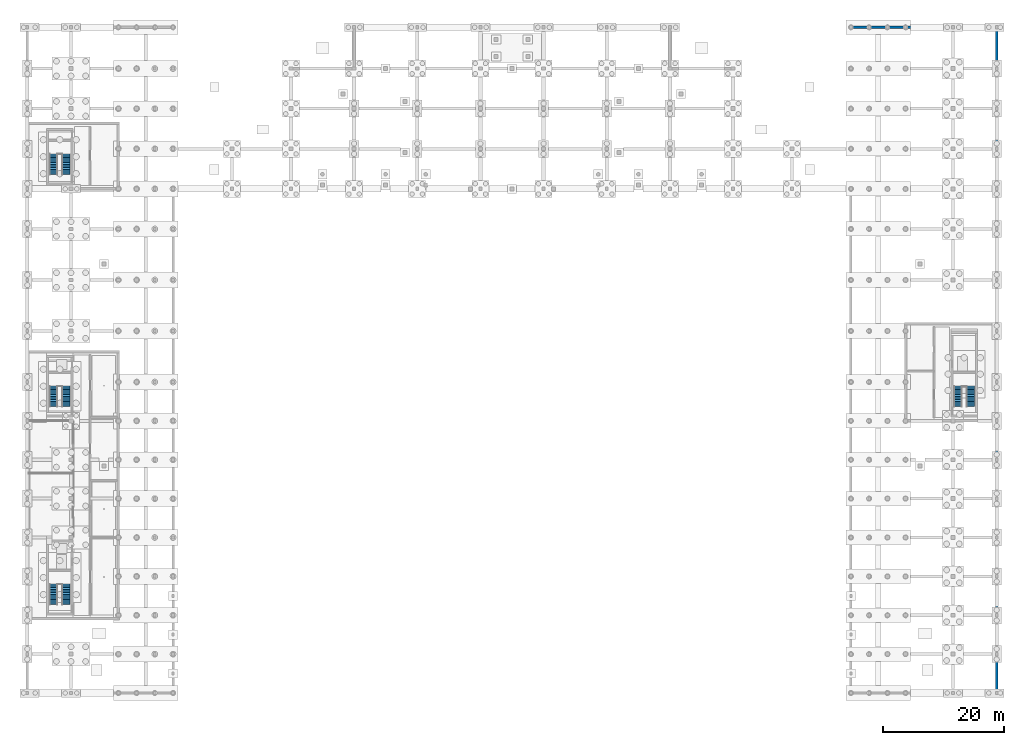
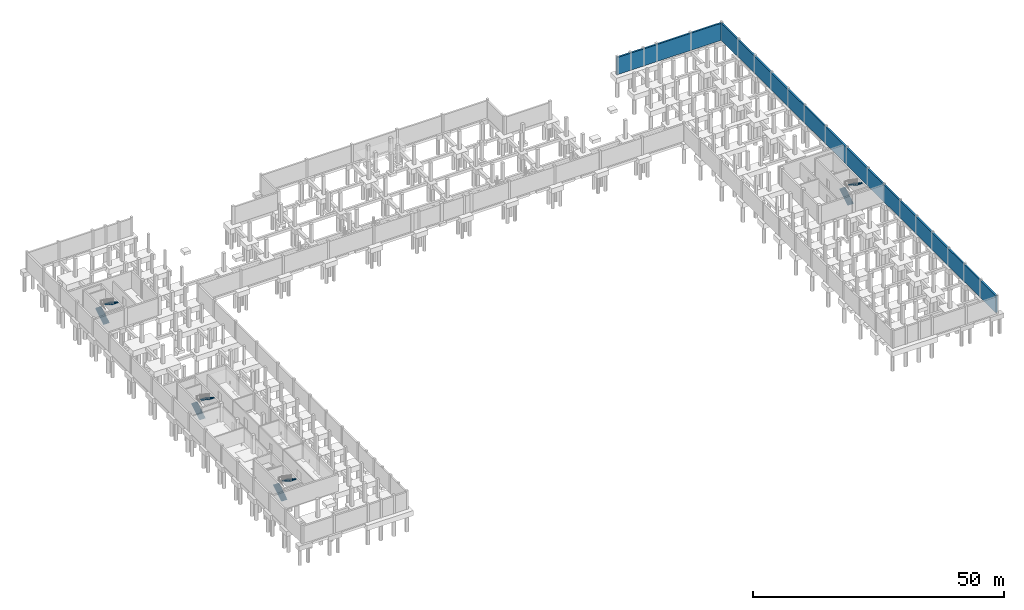
# One storey, part 17 of 21: 8 stair flights, 2 walls, 4 elements without a shape of their own.
"""IFC4 building model written with IfcOpenShell, lengths in metres."""

from ifc_helpers import new_model, si_unit, derived_unit, direction, frame, frame_2d, origin, place, context, subcontext, project, spatial, polyline, rectangle, outline, extrude, material, layer, layer_set, type_object, element, aggregate, save


model = new_model("IFC4")

# Units and contexts
model_context = context("Model", 3, precision=1e-05, world=origin(), true_north=direction((0.0, 1.0)))
body_context = subcontext(model_context, "Body", "Model", "MODEL_VIEW")
ifc_project = project(units=[si_unit("LENGTHUNIT", "METRE"), si_unit("AREAUNIT", "SQUARE_METRE"), si_unit("VOLUMEUNIT", "CUBIC_METRE"), si_unit("PLANEANGLEUNIT", "RADIAN"), si_unit("MASSUNIT", "GRAM", prefix="KILO"), derived_unit("THERMALTRANSMITTANCEUNIT", [(si_unit("POWERUNIT", "WATT"), 1), (si_unit("LENGTHUNIT", "METRE"), -2), (si_unit("THERMODYNAMICTEMPERATUREUNIT", "KELVIN"), -1)])], contexts=[model_context])

# Site, building, storey
site_placement = place(None, origin())
site = spatial("IfcSite", under=ifc_project, at=site_placement, CompositionType="ELEMENT")
building_placement = place(site_placement, origin())
building = spatial("IfcBuilding", under=site, at=building_placement, Name="Braskholm Square Health Centre", CompositionType="ELEMENT")
storey_placement = place(building_placement, frame((0.0, 0.0, -4.5)))
storey = spatial("IfcBuildingStorey", under=building, at=storey_placement, Name="B01", CompositionType="ELEMENT", Elevation=-4.5)

# Walls
ifc_material = material(Name="Concrete C35/45 (f'c = 35 MPa)", Category="concrete")
ifc_layer = layer(ifc_material, 0.39990234375)
ifc_layer_set = layer_set([ifc_layer], Name="Concrete C35/45 (f'c = 35 MPa)")
wall_type = type_object("IfcWallType", Name="BasementRetainingWall400", PredefinedType="SHEAR", material=ifc_layer_set)
wall_1_placement = place(storey_placement, frame((163.800048828125, 4.39990234375, 0.0), z_axis=(0.0, 0.0, 1.0), x_axis=(0.0, 1.0, 0.0)))
element("IfcWall", 1, at=wall_1_placement, inside=storey, type_object=wall_type, Name="Substructure perimeter retaining wall BW-PERIM-E", PredefinedType="SHEAR", context=body_context, shape_type="SweptSolid", body=[
    extrude(rectangle(XDim=109.2001953125, YDim=0.39990234375, at=frame_2d((54.60009765625, 0.0))), origin(), (0.0, 0.0, 1.0), 4.14990234375),
])
wall_2_placement = place(storey_placement, frame((164.0, 113.800048828125, 0.0), z_axis=(0.0, 0.0, 1.0), x_axis=(-1.0, 0.0, 0.0)))
element("IfcWall", 2, at=wall_2_placement, inside=storey, type_object=wall_type, Name="Substructure perimeter retaining wall BW-PERIM-NE", PredefinedType="SHEAR", context=body_context, shape_type="SweptSolid", body=[
    extrude(rectangle(XDim=24.39990234375, YDim=0.39990234375, at=frame_2d((12.199951171875, 0.0))), origin(), (0.0, 0.0, 1.0), 4.14990234375),
])

# Stair, stair flights
stair_type = type_object("IfcStairType", Name="ExitReturnStairB01", PredefinedType="HALF_TURN_STAIR", material=ifc_material)
stair_1_placement = place(storey_placement, origin())
stair_1 = element("IfcStair", 3, at=stair_1_placement, inside=storey, type_object=stair_type, Name="Enclosed exit stair ST-01 B01 to L01", PredefinedType="HALF_TURN_STAIR")
stair_flight_type = type_object("IfcStairFlightType", Name="ExitStairFlightB01", PredefinedType="STRAIGHT", material=ifc_material)
stair_flight_1_placement = place(storey_placement, frame((8.510009765625, 18.760009765625, 0.0), z_axis=(0.0, 0.0, 1.0), x_axis=(0.0, 1.0, 0.0)))
stair_flight_1 = element("IfcStairFlight", 4, at=stair_flight_1_placement, type_object=stair_flight_type, Name="Stair ST-01 lower flight B01", NumberOfRisers=13, NumberOfTreads=12, PredefinedType="STRAIGHT", RiserHeight=0.173077, TreadLength=0.28, context=body_context, shape_type="SweptSolid", body=[
    extrude(outline(polyline([(0.0, 0.0), (0.0, 0.173095703125), (0.280029296875, 0.173095703125), (0.280029296875, 0.34619140625), (0.56005859375, 0.34619140625), (0.56005859375, 0.519287109375), (0.840087890625, 0.519287109375), (0.840087890625, 0.6923828125), (1.1201171875, 0.6923828125), (1.1201171875, 0.865478515625), (1.39990234375, 0.865478515625), (1.39990234375, 1.03857421875), (1.679931640625, 1.03857421875), (1.679931640625, 1.21142578125), (1.9599609375, 1.21142578125), (1.9599609375, 1.384521484375), (2.239990234375, 1.384521484375), (2.239990234375, 1.5576171875), (2.52001953125, 1.5576171875), (2.52001953125, 1.730712890625), (2.800048828125, 1.730712890625), (2.800048828125, 1.90380859375), (3.080078125, 1.90380859375), (3.080078125, 2.076904296875), (3.360107421875, 2.076904296875), (3.360107421875, 2.25), (3.360107421875, 1.888916015625), (0.30419921875, 0.0), (0.0, 0.0)])), frame((0.0, 0.66015625, 0.0), z_axis=(0.0, -1.0, 0.0), x_axis=(1.0, 0.0, 0.0)), (0.0, 0.0, 1.0), 1.320068359375),
])
stair_flight_2_placement = place(storey_placement, frame((10.590087890625, 22.1201171875, 2.25), z_axis=(0.0, 0.0, 1.0), x_axis=(0.0, -1.0, 0.0)))
stair_flight_2 = element("IfcStairFlight", 5, at=stair_flight_2_placement, type_object=stair_flight_type, Name="Stair ST-01 upper flight B01", NumberOfRisers=13, NumberOfTreads=12, PredefinedType="STRAIGHT", RiserHeight=0.173077, TreadLength=0.28, context=body_context, shape_type="SweptSolid", body=[
    extrude(outline(polyline([(0.0, 0.0), (0.0, 0.173095703125), (0.280029296875, 0.173095703125), (0.280029296875, 0.34619140625), (0.56005859375, 0.34619140625), (0.56005859375, 0.519287109375), (0.840087890625, 0.519287109375), (0.840087890625, 0.6923828125), (1.1201171875, 0.6923828125), (1.1201171875, 0.865478515625), (1.39990234375, 0.865478515625), (1.39990234375, 1.03857421875), (1.679931640625, 1.03857421875), (1.679931640625, 1.21142578125), (1.9599609375, 1.21142578125), (1.9599609375, 1.384521484375), (2.239990234375, 1.384521484375), (2.239990234375, 1.5576171875), (2.52001953125, 1.5576171875), (2.52001953125, 1.730712890625), (2.800048828125, 1.730712890625), (2.800048828125, 1.90380859375), (3.080078125, 1.90380859375), (3.080078125, 2.076904296875), (3.360107421875, 2.076904296875), (3.360107421875, 2.25), (3.360107421875, 1.888916015625), (0.30419921875, 0.0), (0.0, 0.0)])), frame((0.0, 0.66015625, 0.0), z_axis=(0.0, -1.0, 0.0), x_axis=(1.0, 0.0, 0.0)), (0.0, 0.0, 1.0), 1.320068359375),
])
aggregate(stair_1, [stair_flight_1, stair_flight_2])

stair_2_placement = place(storey_placement, origin())
stair_2 = element("IfcStair", 6, at=stair_2_placement, inside=storey, type_object=stair_type, Name="Enclosed exit stair ST-02 B01 to L01", PredefinedType="HALF_TURN_STAIR")
stair_flight_3_placement = place(storey_placement, frame((8.510009765625, 51.360107421875, 0.0), z_axis=(0.0, 0.0, 1.0), x_axis=(0.0, 1.0, 0.0)))
stair_flight_3 = element("IfcStairFlight", 7, at=stair_flight_3_placement, type_object=stair_flight_type, Name="Stair ST-02 lower flight B01", NumberOfRisers=13, NumberOfTreads=12, PredefinedType="STRAIGHT", RiserHeight=0.173077, TreadLength=0.28, context=body_context, shape_type="SweptSolid", body=[
    extrude(outline(polyline([(0.0, 0.0), (0.0, 0.173095703125), (0.280029296875, 0.173095703125), (0.280029296875, 0.34619140625), (0.56005859375, 0.34619140625), (0.56005859375, 0.519287109375), (0.840087890625, 0.519287109375), (0.840087890625, 0.6923828125), (1.1201171875, 0.6923828125), (1.1201171875, 0.865478515625), (1.39990234375, 0.865478515625), (1.39990234375, 1.03857421875), (1.679931640625, 1.03857421875), (1.679931640625, 1.21142578125), (1.9599609375, 1.21142578125), (1.9599609375, 1.384521484375), (2.239990234375, 1.384521484375), (2.239990234375, 1.5576171875), (2.52001953125, 1.5576171875), (2.52001953125, 1.730712890625), (2.800048828125, 1.730712890625), (2.800048828125, 1.90380859375), (3.080078125, 1.90380859375), (3.080078125, 2.076904296875), (3.360107421875, 2.076904296875), (3.360107421875, 2.25), (3.360107421875, 1.888916015625), (0.30419921875, 0.0), (0.0, 0.0)])), frame((0.0, 0.66015625, 0.0), z_axis=(0.0, -1.0, 0.0), x_axis=(1.0, 0.0, 0.0)), (0.0, 0.0, 1.0), 1.320068359375),
])
stair_flight_4_placement = place(storey_placement, frame((10.590087890625, 54.719970703125, 2.25), z_axis=(0.0, 0.0, 1.0), x_axis=(0.0, -1.0, 0.0)))
stair_flight_4 = element("IfcStairFlight", 8, at=stair_flight_4_placement, type_object=stair_flight_type, Name="Stair ST-02 upper flight B01", NumberOfRisers=13, NumberOfTreads=12, PredefinedType="STRAIGHT", RiserHeight=0.173077, TreadLength=0.28, context=body_context, shape_type="SweptSolid", body=[
    extrude(outline(polyline([(0.0, 0.0), (0.0, 0.173095703125), (0.280029296875, 0.173095703125), (0.280029296875, 0.34619140625), (0.56005859375, 0.34619140625), (0.56005859375, 0.519287109375), (0.840087890625, 0.519287109375), (0.840087890625, 0.6923828125), (1.1201171875, 0.6923828125), (1.1201171875, 0.865478515625), (1.39990234375, 0.865478515625), (1.39990234375, 1.03857421875), (1.679931640625, 1.03857421875), (1.679931640625, 1.21142578125), (1.9599609375, 1.21142578125), (1.9599609375, 1.384521484375), (2.239990234375, 1.384521484375), (2.239990234375, 1.5576171875), (2.52001953125, 1.5576171875), (2.52001953125, 1.730712890625), (2.800048828125, 1.730712890625), (2.800048828125, 1.90380859375), (3.080078125, 1.90380859375), (3.080078125, 2.076904296875), (3.360107421875, 2.076904296875), (3.360107421875, 2.25), (3.360107421875, 1.888916015625), (0.30419921875, 0.0), (0.0, 0.0)])), frame((0.0, 0.66015625, 0.0), z_axis=(0.0, -1.0, 0.0), x_axis=(1.0, 0.0, 0.0)), (0.0, 0.0, 1.0), 1.320068359375),
])
aggregate(stair_2, [stair_flight_3, stair_flight_4])

stair_3_placement = place(storey_placement, origin())
stair_3 = element("IfcStair", 9, at=stair_3_placement, inside=storey, type_object=stair_type, Name="Enclosed exit stair ST-03 B01 to L01", PredefinedType="HALF_TURN_STAIR")
stair_flight_5_placement = place(storey_placement, frame((8.510009765625, 89.56005859375, 0.0), z_axis=(0.0, 0.0, 1.0), x_axis=(0.0, 1.0, 0.0)))
stair_flight_5 = element("IfcStairFlight", 10, at=stair_flight_5_placement, type_object=stair_flight_type, Name="Stair ST-03 lower flight B01", NumberOfRisers=13, NumberOfTreads=12, PredefinedType="STRAIGHT", RiserHeight=0.173077, TreadLength=0.28, context=body_context, shape_type="SweptSolid", body=[
    extrude(outline(polyline([(0.0, 0.0), (0.0, 0.173095703125), (0.280029296875, 0.173095703125), (0.280029296875, 0.34619140625), (0.56005859375, 0.34619140625), (0.56005859375, 0.519287109375), (0.840087890625, 0.519287109375), (0.840087890625, 0.6923828125), (1.1201171875, 0.6923828125), (1.1201171875, 0.865478515625), (1.39990234375, 0.865478515625), (1.39990234375, 1.03857421875), (1.679931640625, 1.03857421875), (1.679931640625, 1.21142578125), (1.9599609375, 1.21142578125), (1.9599609375, 1.384521484375), (2.239990234375, 1.384521484375), (2.239990234375, 1.5576171875), (2.52001953125, 1.5576171875), (2.52001953125, 1.730712890625), (2.800048828125, 1.730712890625), (2.800048828125, 1.90380859375), (3.080078125, 1.90380859375), (3.080078125, 2.076904296875), (3.360107421875, 2.076904296875), (3.360107421875, 2.25), (3.360107421875, 1.888916015625), (0.30419921875, 0.0), (0.0, 0.0)])), frame((0.0, 0.66015625, 0.0), z_axis=(0.0, -1.0, 0.0), x_axis=(1.0, 0.0, 0.0)), (0.0, 0.0, 1.0), 1.320068359375),
])
stair_flight_6_placement = place(storey_placement, frame((10.590087890625, 92.919921875, 2.25), z_axis=(0.0, 0.0, 1.0), x_axis=(0.0, -1.0, 0.0)))
stair_flight_6 = element("IfcStairFlight", 11, at=stair_flight_6_placement, type_object=stair_flight_type, Name="Stair ST-03 upper flight B01", NumberOfRisers=13, NumberOfTreads=12, PredefinedType="STRAIGHT", RiserHeight=0.173077, TreadLength=0.28, context=body_context, shape_type="SweptSolid", body=[
    extrude(outline(polyline([(0.0, 0.0), (0.0, 0.173095703125), (0.280029296875, 0.173095703125), (0.280029296875, 0.34619140625), (0.56005859375, 0.34619140625), (0.56005859375, 0.519287109375), (0.840087890625, 0.519287109375), (0.840087890625, 0.6923828125), (1.1201171875, 0.6923828125), (1.1201171875, 0.865478515625), (1.39990234375, 0.865478515625), (1.39990234375, 1.03857421875), (1.679931640625, 1.03857421875), (1.679931640625, 1.21142578125), (1.9599609375, 1.21142578125), (1.9599609375, 1.384521484375), (2.239990234375, 1.384521484375), (2.239990234375, 1.5576171875), (2.52001953125, 1.5576171875), (2.52001953125, 1.730712890625), (2.800048828125, 1.730712890625), (2.800048828125, 1.90380859375), (3.080078125, 1.90380859375), (3.080078125, 2.076904296875), (3.360107421875, 2.076904296875), (3.360107421875, 2.25), (3.360107421875, 1.888916015625), (0.30419921875, 0.0), (0.0, 0.0)])), frame((0.0, 0.66015625, 0.0), z_axis=(0.0, -1.0, 0.0), x_axis=(1.0, 0.0, 0.0)), (0.0, 0.0, 1.0), 1.320068359375),
])
aggregate(stair_3, [stair_flight_5, stair_flight_6])

stair_4_placement = place(storey_placement, origin())
stair_4 = element("IfcStair", 12, at=stair_4_placement, inside=storey, type_object=stair_type, Name="Enclosed exit stair ST-04 B01 to L01", PredefinedType="HALF_TURN_STAIR")
stair_flight_7_placement = place(storey_placement, frame((157.409912109375, 51.360107421875, 0.0), z_axis=(0.0, 0.0, 1.0), x_axis=(0.0, 1.0, 0.0)))
stair_flight_7 = element("IfcStairFlight", 13, at=stair_flight_7_placement, type_object=stair_flight_type, Name="Stair ST-04 lower flight B01", NumberOfRisers=13, NumberOfTreads=12, PredefinedType="STRAIGHT", RiserHeight=0.173077, TreadLength=0.28, context=body_context, shape_type="SweptSolid", body=[
    extrude(outline(polyline([(0.0, 0.0), (0.0, 0.173095703125), (0.280029296875, 0.173095703125), (0.280029296875, 0.34619140625), (0.56005859375, 0.34619140625), (0.56005859375, 0.519287109375), (0.840087890625, 0.519287109375), (0.840087890625, 0.6923828125), (1.1201171875, 0.6923828125), (1.1201171875, 0.865478515625), (1.39990234375, 0.865478515625), (1.39990234375, 1.03857421875), (1.679931640625, 1.03857421875), (1.679931640625, 1.21142578125), (1.9599609375, 1.21142578125), (1.9599609375, 1.384521484375), (2.239990234375, 1.384521484375), (2.239990234375, 1.5576171875), (2.52001953125, 1.5576171875), (2.52001953125, 1.730712890625), (2.800048828125, 1.730712890625), (2.800048828125, 1.90380859375), (3.080078125, 1.90380859375), (3.080078125, 2.076904296875), (3.360107421875, 2.076904296875), (3.360107421875, 2.25), (3.360107421875, 1.888916015625), (0.30419921875, 0.0), (0.0, 0.0)])), frame((0.0, 0.66015625, 0.0), z_axis=(0.0, -1.0, 0.0), x_axis=(1.0, 0.0, 0.0)), (0.0, 0.0, 1.0), 1.320068359375),
])
stair_flight_8_placement = place(storey_placement, frame((159.489990234375, 54.719970703125, 2.25), z_axis=(0.0, 0.0, 1.0), x_axis=(0.0, -1.0, 0.0)))
stair_flight_8 = element("IfcStairFlight", 14, at=stair_flight_8_placement, type_object=stair_flight_type, Name="Stair ST-04 upper flight B01", NumberOfRisers=13, NumberOfTreads=12, PredefinedType="STRAIGHT", RiserHeight=0.173077, TreadLength=0.28, context=body_context, shape_type="SweptSolid", body=[
    extrude(outline(polyline([(0.0, 0.0), (0.0, 0.173095703125), (0.280029296875, 0.173095703125), (0.280029296875, 0.34619140625), (0.56005859375, 0.34619140625), (0.56005859375, 0.519287109375), (0.840087890625, 0.519287109375), (0.840087890625, 0.6923828125), (1.1201171875, 0.6923828125), (1.1201171875, 0.865478515625), (1.39990234375, 0.865478515625), (1.39990234375, 1.03857421875), (1.679931640625, 1.03857421875), (1.679931640625, 1.21142578125), (1.9599609375, 1.21142578125), (1.9599609375, 1.384521484375), (2.239990234375, 1.384521484375), (2.239990234375, 1.5576171875), (2.52001953125, 1.5576171875), (2.52001953125, 1.730712890625), (2.800048828125, 1.730712890625), (2.800048828125, 1.90380859375), (3.080078125, 1.90380859375), (3.080078125, 2.076904296875), (3.360107421875, 2.076904296875), (3.360107421875, 2.25), (3.360107421875, 1.888916015625), (0.30419921875, 0.0), (0.0, 0.0)])), frame((0.0, 0.66015625, 0.0), z_axis=(0.0, -1.0, 0.0), x_axis=(1.0, 0.0, 0.0)), (0.0, 0.0, 1.0), 1.320068359375),
])
aggregate(stair_4, [stair_flight_7, stair_flight_8])

save(model, "model.ifc")
